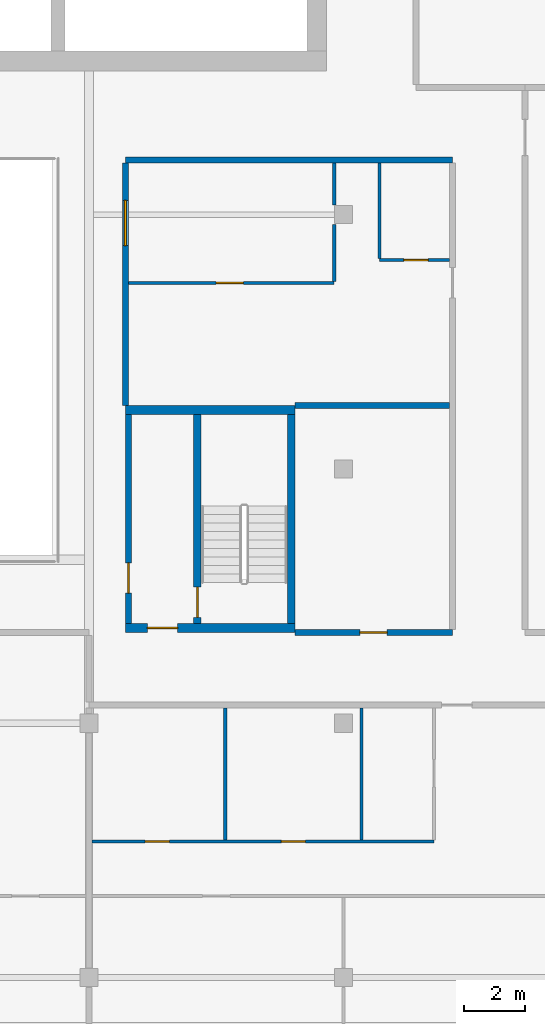
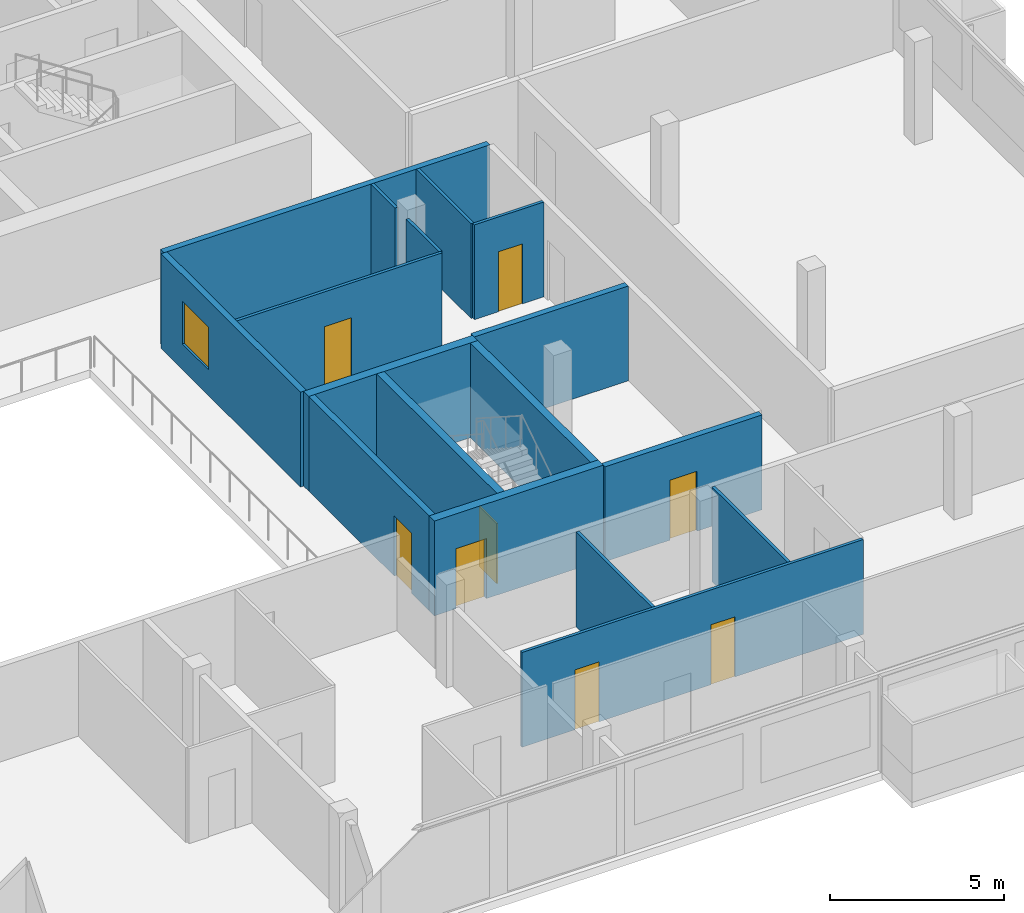
# One storey, part 20 of 27: 17 walls, 8 doors, 1 window, 9 openings.
"""IFC4 building model written with IfcOpenShell, lengths in metres."""

import ifcopenshell
import ifcopenshell.guid

model = None  # the IFC model being written
_history = None  # IfcOwnerHistory: only IFC2X3 demands one
_inside = {}  # id of a spatial element -> (the spatial element, [elements in it])
_under = {}  # id of a project, library or spatial element -> (it, [spatial elements below it])
_declared = {}  # id of a project -> (the project, [libraries it declares])
_typed = {}  # id of a type object -> (the type object, [elements of that type])
_made_of = {}  # id of a material, layer set ... -> (it, [elements and type objects made of it])


def new_model(schema):
    """Start an empty IFC model of exactly this schema.

    Asked for "IFC4X3", IfcOpenShell would pick the latest addendum, in which some entities
    have other attributes; the version numbers below select the first issue.
    IFC2X3 requires an IfcOwnerHistory on every rooted entity: one is made here for all.
    """
    global model, _history
    if schema == "IFC4X3":
        model = ifcopenshell.file(schema_version=(4, 3, 0, 0))
    else:
        model = ifcopenshell.file(schema=schema)
    _inside.clear()
    _under.clear()
    _declared.clear()
    _typed.clear()
    _made_of.clear()
    _history = None
    if model.schema == "IFC2X3":
        org = make("IfcOrganization", Name="unknown")
        user = make(
            "IfcPersonAndOrganization",
            ThePerson=make("IfcPerson", FamilyName="unknown"),
            TheOrganization=org,
        )
        app = make(
            "IfcApplication",
            ApplicationDeveloper=org,
            Version="unknown",
            ApplicationFullName="unknown",
            ApplicationIdentifier="unknown",
        )
        _history = make(
            "IfcOwnerHistory",
            OwningUser=user,
            OwningApplication=app,
            ChangeAction="ADDED",
            CreationDate=0,
        )
    return model


def make(cls, **values):
    """One entity of the class cls with the attributes given. An attribute that is None is left unset."""
    return model.create_entity(
        cls, **{name: value for name, value in values.items() if value is not None}
    )


def rooted(cls, **values):
    """An entity with a GlobalId (a new one), such as an element, a storey or a relation."""
    return make(cls, GlobalId=ifcopenshell.guid.new(), OwnerHistory=_history, **values)


def si_unit(unit_type, name, prefix=None):
    """IfcSIUnit, for example si_unit("LENGTHUNIT", "METRE", prefix="MILLI")."""
    return make("IfcSIUnit", UnitType=unit_type, Prefix=prefix, Name=name)


def assignment(units):
    """IfcUnitAssignment: the units of a project."""
    return None if units is None else make("IfcUnitAssignment", Units=units)


def point(xyz):
    """IfcCartesianPoint."""
    return None if xyz is None else make("IfcCartesianPoint", Coordinates=xyz)


def direction(xyz):
    """IfcDirection."""
    return None if xyz is None else make("IfcDirection", DirectionRatios=xyz)


def frame(location, z_axis=None, x_axis=None):
    """IfcAxis2Placement3D, a coordinate frame: its origin and axes. An axis left out is left unset."""
    return make(
        "IfcAxis2Placement3D",
        Location=point(location),
        Axis=direction(z_axis),
        RefDirection=direction(x_axis),
    )


def frame_2d(location, x_axis=None):
    """IfcAxis2Placement2D, a coordinate frame in the plane: its origin and x axis."""
    return make(
        "IfcAxis2Placement2D", Location=point(location), RefDirection=direction(x_axis)
    )


def origin():
    """The frame at (0, 0, 0) with its axes left unset."""
    return frame((0.0, 0.0, 0.0))


def place(relative_to, where):
    """IfcLocalPlacement: puts the frame where relative to a parent placement (None: the world)."""
    return make(
        "IfcLocalPlacement", PlacementRelTo=relative_to, RelativePlacement=where
    )


def context(
    kind, dimensions, precision=None, world=None, true_north=None, identifier=None
):
    """IfcGeometricRepresentationContext, for example the 3D "Model" context."""
    return make(
        "IfcGeometricRepresentationContext",
        ContextIdentifier=identifier,
        ContextType=kind,
        CoordinateSpaceDimension=dimensions,
        Precision=precision,
        WorldCoordinateSystem=world,
        TrueNorth=true_north,
    )


def subcontext(parent, identifier, kind, view, scale=None):
    """IfcGeometricRepresentationSubContext, for example "Body" below "Model"."""
    return make(
        "IfcGeometricRepresentationSubContext",
        ContextIdentifier=identifier,
        ContextType=kind,
        ParentContext=parent,
        TargetScale=scale,
        TargetView=view,
    )


def project(units=None, contexts=None):
    """IfcProject with its units and contexts."""
    return rooted(
        "IfcProject",
        Name="project",
        RepresentationContexts=contexts,
        UnitsInContext=assignment(units),
    )


def spatial(cls, under=None, at=None, **own):
    """A site, building, storey or space (cls), placed at a placement, below another one or the project."""
    s = rooted(cls, ObjectPlacement=at, **own)
    if under is not None:
        _under.setdefault(under.id(), (under, []))[1].append(s)
    return s


def profile(cls, at=None, kind="AREA", **sizes):
    """A parametric profile (cls). Its sizes go by their IFC names, for example OverallWidth=200.0."""
    return make(cls, ProfileType=kind, Position=at, **sizes)


def rectangle(**sizes):
    """IfcRectangleProfileDef."""
    return profile("IfcRectangleProfileDef", **sizes)


def extrude(swept, where, along, depth):
    """IfcExtrudedAreaSolid: the profile swept, set in the frame where, extruded along a direction by depth."""
    return make(
        "IfcExtrudedAreaSolid",
        SweptArea=swept,
        Position=where,
        ExtrudedDirection=direction(along),
        Depth=depth,
    )


def shape(context_of_items, identifier, shape_type, items):
    """IfcShapeRepresentation: the items that make up one representation, for example the "Body"."""
    return make(
        "IfcShapeRepresentation",
        ContextOfItems=context_of_items,
        RepresentationIdentifier=identifier,
        RepresentationType=shape_type,
        Items=items,
    )


def material(Name=None, Category=None):
    """IfcMaterial."""
    return make("IfcMaterial", Name=Name, Category=Category)


def layer(
    of_material, thickness, ventilated=None, Name=None, Category=None, Priority=None
):
    """IfcMaterialLayer: one layer of a wall or slab, of a material (None: an air gap)."""
    return make(
        "IfcMaterialLayer",
        Material=of_material,
        LayerThickness=thickness,
        IsVentilated=ventilated,
        Name=Name,
        Category=Category,
        Priority=Priority,
    )


def layer_set(layers, Name=None):
    """IfcMaterialLayerSet."""
    return make("IfcMaterialLayerSet", MaterialLayers=layers, LayerSetName=Name)


def made_of(thing, what):
    """Note that an element or type object is made of a material, layer set ...; save() writes the relation."""
    if what is not None:
        _made_of.setdefault(what.id(), (what, []))[1].append(thing)
    return thing


def type_object(cls, material=None, **own):
    """A type object (cls), such as IfcWallType, which elements share."""
    return made_of(rooted(cls, **own), material)


def element(
    cls,
    number,
    at=None,
    inside=None,
    cuts=None,
    type_object=None,
    material=None,
    context=None,
    identifier="Body",
    shape_type=None,
    held_by="IfcProductDefinitionShape",
    body=None,
    shapes=None,
    **own,
):
    """One element of the class cls, such as IfcWall. Its Tag is "e" and its number.

    at: its placement. inside: the storey or other place that contains it. cuts: it is an
    opening in that element (IfcRelVoidsElement). A single representation is given by context,
    identifier, shape_type and body (its items); several are given by shapes. held_by: the class
    of the entity that holds the representations. save() writes the other relations.
    """
    e = rooted(cls, Tag="e%d" % number, ObjectPlacement=at, **own)
    if body is not None:
        shapes = [shape(context, identifier, shape_type, body)]
    if shapes is not None:
        e.Representation = make(held_by, Representations=shapes)
    if inside is not None:
        _inside.setdefault(inside.id(), (inside, []))[1].append(e)
    if cuts is not None:
        rooted(
            "IfcRelVoidsElement", RelatingBuildingElement=cuts, RelatedOpeningElement=e
        )
    if type_object is not None:
        _typed.setdefault(type_object.id(), (type_object, []))[1].append(e)
    return made_of(e, material)


def fill(opening, filler):
    """IfcRelFillsElement: the door or window that sits in an opening."""
    return rooted(
        "IfcRelFillsElement",
        RelatingOpeningElement=opening,
        RelatedBuildingElement=filler,
    )


def aggregate(whole, parts):
    """IfcRelAggregates: a whole, such as a stair, and the parts it consists of."""
    return rooted("IfcRelAggregates", RelatingObject=whole, RelatedObjects=parts)


def save(model, path):
    """Write the relations noted so far, then the file.

    IfcRelAggregates (storeys below a building ...), IfcRelContainedInSpatialStructure (elements
    in a storey), IfcRelDefinesByType, IfcRelAssociatesMaterial and IfcRelDeclares: one each for
    every whole, place, type object, material and project.
    """
    for whole, parts in _under.values():
        aggregate(whole, parts)
    for where, things in _inside.values():
        rooted(
            "IfcRelContainedInSpatialStructure",
            RelatedElements=things,
            RelatingStructure=where,
        )
    for kind, things in _typed.values():
        rooted("IfcRelDefinesByType", RelatedObjects=things, RelatingType=kind)
    for what, things in _made_of.values():
        rooted("IfcRelAssociatesMaterial", RelatedObjects=things, RelatingMaterial=what)
    for by, libraries in _declared.values():
        rooted("IfcRelDeclares", RelatingContext=by, RelatedDefinitions=libraries)
    model.write(path)


model = new_model("IFC4")

# Units and contexts
model_context = context("Model", 3, precision=1e-05, world=origin(), true_north=direction((0.0, 1.0)))
body_context = subcontext(model_context, "Body", "Model", "MODEL_VIEW")
ifc_project = project(units=[si_unit("LENGTHUNIT", "METRE"), si_unit("AREAUNIT", "SQUARE_METRE"), si_unit("VOLUMEUNIT", "CUBIC_METRE"), si_unit("PLANEANGLEUNIT", "RADIAN"), si_unit("MASSUNIT", "GRAM", prefix="KILO")], contexts=[model_context])

# Site, building, storey
site_placement = place(None, origin())
site = spatial("IfcSite", under=ifc_project, at=site_placement, CompositionType="ELEMENT")
building_placement = place(site_placement, origin())
building = spatial("IfcBuilding", under=site, at=building_placement, Name="Saffron Gate Tower", CompositionType="ELEMENT")
storey_placement = place(building_placement, frame((0.0, 0.0, 209.10009765625)))
storey = spatial("IfcBuildingStorey", under=building, at=storey_placement, Name="L50", CompositionType="ELEMENT", Elevation=209.10009765625)

# Wall, opening, door
ifc_material_1 = material(Name="Gypsum board partition on steel studs", Category="steel")
ifc_layer_1 = layer(ifc_material_1, 0.199951171875)
ifc_layer_set_1 = layer_set([ifc_layer_1], Name="CW10 Core partition 200")
wall_type_1 = type_object("IfcWallType", Name="CW10 Core partition 200", PredefinedType="PARTITIONING", material=ifc_layer_set_1)
wall_1_placement = place(storey_placement, frame((101.5, 43.5, 0.0), z_axis=(0.0, 0.0, 1.0), x_axis=(0.0, 1.0, 0.0)))
wall_1 = element("IfcWall", 1, at=wall_1_placement, inside=storey, type_object=wall_type_1, Name="Wall CW10-L50-E-2", PredefinedType="PARTITIONING", context=body_context, shape_type="SweptSolid", body=[
    extrude(rectangle(XDim=6.89990234375, YDim=0.199951171875, at=frame_2d((3.449951171875, 0.0))), origin(), (0.0, 0.0, 1.0), 3.31982421875),
])
opening_1_placement = place(wall_1_placement, frame((1.0, 0.0, 0.0)))
opening_1 = element("IfcOpeningElement", 2, at=opening_1_placement, cuts=wall_1, Name="Opening CR-22", PredefinedType="OPENING", context=body_context, shape_type="SweptSolid", body=[
    extrude(rectangle(XDim=1.0, YDim=2.10009765625, at=frame_2d((0.5, 1.050048828125))), frame((0.0, 0.10986328125, 0.0), z_axis=(0.0, -1.0, 0.0), x_axis=(1.0, 0.0, 0.0)), (0.0, 0.0, 1.0), 0.219970703125),
])
ifc_material_2 = material(Name="Steel fire door set", Category="steel")
door_type_1 = type_object("IfcDoorType", Name="CD4 Lobby door 1000x2100 EI 120", OperationType="NOTDEFINED", PredefinedType="DOOR", material=ifc_material_2)
door_1_placement = place(opening_1_placement, origin())
door_1 = element("IfcDoor", 3, at=door_1_placement, inside=storey, type_object=door_type_1, Name="DOOR CR-22", OperationType="SINGLE_SWING_LEFT", OverallHeight=2.10009765625, OverallWidth=1.0, PredefinedType="DOOR", context=body_context, shape_type="SweptSolid", body=[
    extrude(rectangle(XDim=1.0, YDim=2.10009765625, at=frame_2d((0.5, 1.050048828125))), frame((0.0, 0.02490234375, 0.0), z_axis=(0.0, -1.0, 0.0), x_axis=(1.0, 0.0, 0.0)), (0.0, 0.0, 1.0), 0.050048828125),
])
fill(opening_1, door_1)

ifc_material_3 = material(Name="Concrete C60", Category="concrete")
ifc_layer_2 = layer(ifc_material_3, 0.25)
ifc_layer_set_2 = layer_set([ifc_layer_2], Name="CW14 RC core wall 250 C60")
wall_type_2 = type_object("IfcWallType", Name="CW14 RC core wall 250 C60", PredefinedType="SOLIDWALL", material=ifc_layer_set_2)
wall_2_placement = place(storey_placement, frame((103.77490234375, 43.5, 0.0), z_axis=(0.0, 0.0, 1.0), x_axis=(0.0, 1.0, 0.0)))
wall_2 = element("IfcWall", 4, at=wall_2_placement, inside=storey, type_object=wall_type_2, Name="Wall CW14-L50-E-3", PredefinedType="SOLIDWALL", context=body_context, shape_type="SweptSolid", body=[
    extrude(rectangle(XDim=6.89990234375, YDim=0.25, at=frame_2d((3.449951171875, 0.0))), origin(), (0.0, 0.0, 1.0), 3.31982421875),
])
opening_2_placement = place(wall_2_placement, frame((0.199951171875, 0.0, 0.0)))
opening_2 = element("IfcOpeningElement", 5, at=opening_2_placement, cuts=wall_2, Name="Opening CR-23", PredefinedType="OPENING", context=body_context, shape_type="SweptSolid", body=[
    extrude(rectangle(XDim=1.0, YDim=2.10009765625, at=frame_2d((0.5, 1.050048828125))), frame((0.0, 0.135009765625, 0.0), z_axis=(0.0, -1.0, 0.0), x_axis=(1.0, 0.0, 0.0)), (0.0, 0.0, 1.0), 0.27001953125),
])
door_type_2 = type_object("IfcDoorType", Name="CD5 Stair door 1000x2100 EI 120", OperationType="NOTDEFINED", PredefinedType="DOOR", material=ifc_material_2)
door_2_placement = place(opening_2_placement, origin())
door_2 = element("IfcDoor", 6, at=door_2_placement, inside=storey, type_object=door_type_2, Name="DOOR CR-23", OperationType="SINGLE_SWING_RIGHT", OverallHeight=2.10009765625, OverallWidth=1.0, PredefinedType="DOOR", context=body_context, shape_type="SweptSolid", body=[
    extrude(rectangle(XDim=1.0, YDim=2.10009765625, at=frame_2d((0.5, 1.050048828125))), frame((0.0, 0.02490234375, 0.0), z_axis=(0.0, -1.0, 0.0), x_axis=(1.0, 0.0, 0.0)), (0.0, 0.0, 1.0), 0.050048828125),
])
fill(opening_2, door_2)

# Wall
wall_3_placement = place(storey_placement, frame((106.875, 43.5, 0.0), z_axis=(0.0, 0.0, 1.0), x_axis=(0.0, 1.0, 0.0)))
element("IfcWall", 7, at=wall_3_placement, inside=storey, type_object=wall_type_2, Name="Wall CW14-L50-E-4", PredefinedType="SOLIDWALL", context=body_context, shape_type="SweptSolid", body=[
    extrude(rectangle(XDim=6.89990234375, YDim=0.25, at=frame_2d((3.449951171875, 0.0))), origin(), (0.0, 0.0, 1.0), 3.31982421875),
])

# Wall, opening, door
ifc_layer_3 = layer(ifc_material_3, 0.300048828125)
ifc_layer_set_3 = layer_set([ifc_layer_3], Name="CW17 RC core wall 300 C60")
wall_type_3 = type_object("IfcWallType", Name="CW17 RC core wall 300 C60", PredefinedType="SOLIDWALL", material=ifc_layer_set_3)
wall_4_placement = place(storey_placement, frame((101.39990234375, 43.35009765625, 0.0), z_axis=(0.0, 0.0, 1.0), x_axis=(1.0, 0.0, 0.0)))
wall_4 = element("IfcWall", 8, at=wall_4_placement, inside=storey, type_object=wall_type_3, Name="Wall CW17-L50-E-1", PredefinedType="SOLIDWALL", context=body_context, shape_type="SweptSolid", body=[
    extrude(rectangle(XDim=5.60009765625, YDim=0.300048828125, at=frame_2d((2.800048828125, 0.0))), origin(), (0.0, 0.0, 1.0), 3.31982421875),
])
opening_3_placement = place(wall_4_placement, frame((0.72509765625, 0.0, 0.0)))
opening_3 = element("IfcOpeningElement", 9, at=opening_3_placement, cuts=wall_4, Name="Opening CR-21", PredefinedType="OPENING", context=body_context, shape_type="SweptSolid", body=[
    extrude(rectangle(XDim=1.0, YDim=2.10009765625, at=frame_2d((0.5, 1.050048828125))), frame((0.0, 0.16015625, 0.0), z_axis=(0.0, -1.0, 0.0), x_axis=(1.0, 0.0, 0.0)), (0.0, 0.0, 1.0), 0.320068359375),
])
door_3_placement = place(opening_3_placement, origin())
door_3 = element("IfcDoor", 10, at=door_3_placement, inside=storey, type_object=door_type_1, Name="DOOR CR-21", OperationType="SINGLE_SWING_RIGHT", OverallHeight=2.10009765625, OverallWidth=1.0, PredefinedType="DOOR", context=body_context, shape_type="SweptSolid", body=[
    extrude(rectangle(XDim=1.0, YDim=2.10009765625, at=frame_2d((0.5, 1.050048828125))), frame((0.0, 0.02490234375, 0.0), z_axis=(0.0, -1.0, 0.0), x_axis=(1.0, 0.0, 0.0)), (0.0, 0.0, 1.0), 0.050048828125),
])
fill(opening_3, door_3)

# Wall
wall_5_placement = place(storey_placement, frame((101.39990234375, 50.550048828125, 0.0), z_axis=(0.0, 0.0, 1.0), x_axis=(1.0, 0.0, 0.0)))
element("IfcWall", 11, at=wall_5_placement, inside=storey, type_object=wall_type_3, Name="Wall CW17-L50-E-5", PredefinedType="SOLIDWALL", context=body_context, shape_type="SweptSolid", body=[
    extrude(rectangle(XDim=5.60009765625, YDim=0.300048828125, at=frame_2d((2.800048828125, 0.0))), origin(), (0.0, 0.0, 1.0), 3.31982421875),
])

# Wall, openings, doors
ifc_material_4 = material(Name="Plasterboard on steel studs", Category="steel")
ifc_layer_4 = layer(ifc_material_4, 0.10009765625)
ifc_layer_set_4 = layer_set([ifc_layer_4], Name="PW1 Partition 100")
wall_type_4 = type_object("IfcWallType", Name="PW1 Partition 100", PredefinedType="PARTITIONING", material=ifc_layer_set_4)
wall_6_placement = place(storey_placement, frame((100.300048828125, 36.300048828125, 0.0), z_axis=(0.0, 0.0, 1.0), x_axis=(1.0, 0.0, 0.0)))
wall_6 = element("IfcWall", 12, at=wall_6_placement, inside=storey, type_object=wall_type_4, Name="Partition D1-7", PredefinedType="PARTITIONING", context=body_context, shape_type="SweptSolid", body=[
    extrude(rectangle(XDim=11.300048828125, YDim=0.10009765625, at=frame_2d((5.64990234375, 0.0))), origin(), (0.0, 0.0, 1.0), 3.31982421875),
])
opening_4_placement = place(wall_6_placement, frame((1.75, 0.0, 0.0)))
opening_4 = element("IfcOpeningElement", 13, at=opening_4_placement, cuts=wall_6, Name="Opening D1-36", PredefinedType="OPENING", context=body_context, shape_type="SweptSolid", body=[
    extrude(rectangle(XDim=0.800048828125, YDim=2.10009765625, at=frame_2d((0.39990234375, 1.050048828125))), frame((0.0, 0.06005859375, 0.0), z_axis=(0.0, -1.0, 0.0), x_axis=(1.0, 0.0, 0.0)), (0.0, 0.0, 1.0), 0.1201171875),
])
opening_5_placement = place(wall_6_placement, frame((6.25, 0.0, 0.0)))
opening_5 = element("IfcOpeningElement", 14, at=opening_5_placement, cuts=wall_6, Name="Opening D1-37", PredefinedType="OPENING", context=body_context, shape_type="SweptSolid", body=[
    extrude(rectangle(XDim=0.800048828125, YDim=2.10009765625, at=frame_2d((0.39990234375, 1.050048828125))), frame((0.0, 0.06005859375, 0.0), z_axis=(0.0, -1.0, 0.0), x_axis=(1.0, 0.0, 0.0)), (0.0, 0.0, 1.0), 0.1201171875),
])
ifc_material_5 = material(Name="Timber door set", Category="wood")
door_type_3 = type_object("IfcDoorType", Name="RD2 Bathroom door 800x2100", OperationType="NOTDEFINED", PredefinedType="DOOR", material=ifc_material_5)
door_4_placement = place(opening_4_placement, origin())
door_4 = element("IfcDoor", 15, at=door_4_placement, inside=storey, type_object=door_type_3, Name="Door D1-36", OperationType="SINGLE_SWING_LEFT", OverallHeight=2.10009765625, OverallWidth=0.800048828125, PredefinedType="DOOR", context=body_context, shape_type="SweptSolid", body=[
    extrude(rectangle(XDim=0.800048828125, YDim=2.10009765625, at=frame_2d((0.39990234375, 1.050048828125))), frame((0.0, 0.02490234375, 0.0), z_axis=(0.0, -1.0, 0.0), x_axis=(1.0, 0.0, 0.0)), (0.0, 0.0, 1.0), 0.050048828125),
])
fill(opening_4, door_4)
door_5_placement = place(opening_5_placement, origin())
door_5 = element("IfcDoor", 16, at=door_5_placement, inside=storey, type_object=door_type_3, Name="Door D1-37", OperationType="SINGLE_SWING_RIGHT", OverallHeight=2.10009765625, OverallWidth=0.800048828125, PredefinedType="DOOR", context=body_context, shape_type="SweptSolid", body=[
    extrude(rectangle(XDim=0.800048828125, YDim=2.10009765625, at=frame_2d((0.39990234375, 1.050048828125))), frame((0.0, 0.02490234375, 0.0), z_axis=(0.0, -1.0, 0.0), x_axis=(1.0, 0.0, 0.0)), (0.0, 0.0, 1.0), 0.050048828125),
])
fill(opening_5, door_5)

# Wall, opening, door
wall_7_placement = place(storey_placement, frame((101.5, 54.75, 0.0), z_axis=(0.0, 0.0, 1.0), x_axis=(1.0, 0.0, 0.0)))
wall_7 = element("IfcWall", 17, at=wall_7_placement, inside=storey, type_object=wall_type_4, Name="Partition D1-24", PredefinedType="PARTITIONING", context=body_context, shape_type="SweptSolid", body=[
    extrude(rectangle(XDim=6.800048828125, YDim=0.10009765625, at=frame_2d((3.39990234375, 0.0))), origin(), (0.0, 0.0, 1.0), 3.31982421875),
])
opening_6_placement = place(wall_7_placement, frame((2.89990234375, 0.0, 0.0)))
opening_6 = element("IfcOpeningElement", 18, at=opening_6_placement, cuts=wall_7, Name="Opening D1-31", PredefinedType="OPENING", context=body_context, shape_type="SweptSolid", body=[
    extrude(rectangle(XDim=0.89990234375, YDim=2.10009765625, at=frame_2d((0.449951171875, 1.050048828125))), frame((0.0, 0.06005859375, 0.0), z_axis=(0.0, -1.0, 0.0), x_axis=(1.0, 0.0, 0.0)), (0.0, 0.0, 1.0), 0.1201171875),
])
door_type_4 = type_object("IfcDoorType", Name="RD1 Room door 900x2100", OperationType="NOTDEFINED", PredefinedType="DOOR", material=ifc_material_5)
door_6_placement = place(opening_6_placement, origin())
door_6 = element("IfcDoor", 19, at=door_6_placement, inside=storey, type_object=door_type_4, Name="Door D1-31", OperationType="SINGLE_SWING_LEFT", OverallHeight=2.10009765625, OverallWidth=0.89990234375, PredefinedType="DOOR", context=body_context, shape_type="SweptSolid", body=[
    extrude(rectangle(XDim=0.89990234375, YDim=2.10009765625, at=frame_2d((0.449951171875, 1.050048828125))), frame((0.0, 0.02490234375, 0.0), z_axis=(0.0, -1.0, 0.0), x_axis=(1.0, 0.0, 0.0)), (0.0, 0.0, 1.0), 0.050048828125),
])
fill(opening_6, door_6)

wall_8_placement = place(storey_placement, frame((109.800048828125, 55.5, 0.0), z_axis=(0.0, 0.0, 1.0), x_axis=(1.0, 0.0, 0.0)))
wall_8 = element("IfcWall", 20, at=wall_8_placement, inside=storey, type_object=wall_type_4, Name="Partition D1-25", PredefinedType="PARTITIONING", context=body_context, shape_type="SweptSolid", body=[
    extrude(rectangle(XDim=2.300048828125, YDim=0.10009765625, at=frame_2d((1.14990234375, 0.0))), origin(), (0.0, 0.0, 1.0), 3.31982421875),
])
opening_7_placement = place(wall_8_placement, frame((0.800048828125, 0.0, 0.0)))
opening_7 = element("IfcOpeningElement", 21, at=opening_7_placement, cuts=wall_8, Name="Opening D1-41", PredefinedType="OPENING", context=body_context, shape_type="SweptSolid", body=[
    extrude(rectangle(XDim=0.800048828125, YDim=2.10009765625, at=frame_2d((0.39990234375, 1.050048828125))), frame((0.0, 0.06005859375, 0.0), z_axis=(0.0, -1.0, 0.0), x_axis=(1.0, 0.0, 0.0)), (0.0, 0.0, 1.0), 0.1201171875),
])
door_7_placement = place(opening_7_placement, origin())
door_7 = element("IfcDoor", 22, at=door_7_placement, inside=storey, type_object=door_type_3, Name="Door D1-41", OperationType="SINGLE_SWING_RIGHT", OverallHeight=2.10009765625, OverallWidth=0.800048828125, PredefinedType="DOOR", context=body_context, shape_type="SweptSolid", body=[
    extrude(rectangle(XDim=0.800048828125, YDim=2.10009765625, at=frame_2d((0.39990234375, 1.050048828125))), frame((0.0, 0.02490234375, 0.0), z_axis=(0.0, -1.0, 0.0), x_axis=(1.0, 0.0, 0.0)), (0.0, 0.0, 1.0), 0.050048828125),
])
fill(opening_7, door_7)

# Walls
wall_9_placement = place(storey_placement, frame((104.699951171875, 40.699951171875, 0.0), z_axis=(0.0, 0.0, 1.0), x_axis=(0.0, -1.0, 0.0)))
element("IfcWall", 23, at=wall_9_placement, inside=storey, type_object=wall_type_4, Name="Partition D1-83", PredefinedType="PARTITIONING", context=body_context, shape_type="SweptSolid", body=[
    extrude(rectangle(XDim=4.349853515625, YDim=0.10009765625, at=frame_2d((2.1748046875, 0.0))), origin(), (0.0, 0.0, 1.0), 3.31982421875),
])
wall_10_placement = place(storey_placement, frame((108.300048828125, 56.679931640625, 0.0), z_axis=(0.0, 0.0, 1.0), x_axis=(0.0, -1.0, 0.0)))
element("IfcWall", 24, at=wall_10_placement, inside=storey, type_object=wall_type_4, Name="Partition D1-84", PredefinedType="PARTITIONING", context=body_context, shape_type="SweptSolid", body=[
    extrude(rectangle(XDim=1.8798828125, YDim=0.10009765625, at=frame_2d((0.93994140625, 0.0))), origin(), (0.0, 0.0, 1.0), 3.31982421875),
])
wall_11_placement = place(storey_placement, frame((108.300048828125, 58.699951171875, 0.0), z_axis=(0.0, 0.0, 1.0), x_axis=(0.0, -1.0, 0.0)))
element("IfcWall", 25, at=wall_11_placement, inside=storey, type_object=wall_type_4, Name="Partition D1-85", PredefinedType="PARTITIONING", context=body_context, shape_type="SweptSolid", body=[
    extrude(rectangle(XDim=1.3798828125, YDim=0.10009765625, at=frame_2d((0.68994140625, 0.0))), origin(), (0.0, 0.0, 1.0), 3.31982421875),
])
wall_12_placement = place(storey_placement, frame((109.199951171875, 40.699951171875, 0.0), z_axis=(0.0, 0.0, 1.0), x_axis=(0.0, -1.0, 0.0)))
element("IfcWall", 26, at=wall_12_placement, inside=storey, type_object=wall_type_4, Name="Partition D1-88", PredefinedType="PARTITIONING", context=body_context, shape_type="SweptSolid", body=[
    extrude(rectangle(XDim=4.349853515625, YDim=0.10009765625, at=frame_2d((2.1748046875, 0.0))), origin(), (0.0, 0.0, 1.0), 3.31982421875),
])
wall_13_placement = place(storey_placement, frame((109.800048828125, 58.699951171875, 0.0), z_axis=(0.0, 0.0, 1.0), x_axis=(0.0, -1.0, 0.0)))
element("IfcWall", 27, at=wall_13_placement, inside=storey, type_object=wall_type_4, Name="Partition D1-89", PredefinedType="PARTITIONING", context=body_context, shape_type="SweptSolid", body=[
    extrude(rectangle(XDim=3.14990234375, YDim=0.10009765625, at=frame_2d((1.574951171875, 0.0))), origin(), (0.0, 0.0, 1.0), 3.31982421875),
])
ifc_material_6 = material(Name="Clay brick masonry, rendered", Category="masonry")
ifc_layer_5 = layer(ifc_material_6, 0.199951171875)
ifc_layer_set_5 = layer_set([ifc_layer_5], Name="PW2 Demising wall 200")
wall_type_5 = type_object("IfcWallType", Name="PW2 Demising wall 200", PredefinedType="PARTITIONING", material=ifc_layer_set_5)
wall_14_placement = place(storey_placement, frame((107.0, 50.699951171875, 0.0), z_axis=(0.0, 0.0, 1.0), x_axis=(1.0, 0.0, 0.0)))
element("IfcWall", 28, at=wall_14_placement, inside=storey, type_object=wall_type_5, Name="Wall D1-22", PredefinedType="PARTITIONING", context=body_context, shape_type="SweptSolid", body=[
    extrude(rectangle(XDim=5.10009765625, YDim=0.199951171875, at=frame_2d((2.550048828125, 0.0))), origin(), (0.0, 0.0, 1.0), 3.31982421875),
])

# Wall, opening, door
ifc_layer_6 = layer(ifc_material_6, 0.199951171875)
ifc_layer_set_6 = layer_set([ifc_layer_6], Name="PW3 Corridor wall 200")
wall_type_6 = type_object("IfcWallType", Name="PW3 Corridor wall 200", PredefinedType="PARTITIONING", material=ifc_layer_set_6)
wall_15_placement = place(storey_placement, frame((107.0, 43.199951171875, 0.0), z_axis=(0.0, 0.0, 1.0), x_axis=(1.0, 0.0, 0.0)))
wall_15 = element("IfcWall", 29, at=wall_15_placement, inside=storey, type_object=wall_type_6, Name="Wall D1-19", PredefinedType="PARTITIONING", context=body_context, shape_type="SweptSolid", body=[
    extrude(rectangle(XDim=5.199951171875, YDim=0.199951171875, at=frame_2d((2.60009765625, 0.0))), origin(), (0.0, 0.0, 1.0), 3.31982421875),
])
opening_8_placement = place(wall_15_placement, frame((2.14990234375, 0.0, 0.0)))
opening_8 = element("IfcOpeningElement", 30, at=opening_8_placement, cuts=wall_15, Name="Opening D1-42", PredefinedType="OPENING", context=body_context, shape_type="SweptSolid", body=[
    extrude(rectangle(XDim=0.89990234375, YDim=2.10009765625, at=frame_2d((0.449951171875, 1.050048828125))), frame((0.0, 0.10986328125, 0.0), z_axis=(0.0, -1.0, 0.0), x_axis=(1.0, 0.0, 0.0)), (0.0, 0.0, 1.0), 0.219970703125),
])
door_type_5 = type_object("IfcDoorType", Name="SD1 Service door 900x2100", OperationType="NOTDEFINED", PredefinedType="DOOR", material=ifc_material_2)
door_8_placement = place(opening_8_placement, origin())
door_8 = element("IfcDoor", 31, at=door_8_placement, inside=storey, type_object=door_type_5, Name="Door D1-42", OperationType="SINGLE_SWING_LEFT", OverallHeight=2.10009765625, OverallWidth=0.89990234375, PredefinedType="DOOR", context=body_context, shape_type="SweptSolid", body=[
    extrude(rectangle(XDim=0.89990234375, YDim=2.10009765625, at=frame_2d((0.449951171875, 1.050048828125))), frame((0.0, 0.02490234375, 0.0), z_axis=(0.0, -1.0, 0.0), x_axis=(1.0, 0.0, 0.0)), (0.0, 0.0, 1.0), 0.050048828125),
])
fill(opening_8, door_8)

# Wall
wall_16_placement = place(storey_placement, frame((101.39990234375, 58.800048828125, 0.0), z_axis=(0.0, 0.0, 1.0), x_axis=(1.0, 0.0, 0.0)))
element("IfcWall", 32, at=wall_16_placement, inside=storey, type_object=wall_type_6, Name="Wall D1-28", PredefinedType="PARTITIONING", context=body_context, shape_type="SweptSolid", body=[
    extrude(rectangle(XDim=10.800048828125, YDim=0.199951171875, at=frame_2d((5.39990234375, 0.0))), origin(), (0.0, 0.0, 1.0), 3.31982421875),
])

# Wall, opening, window
wall_17_placement = place(storey_placement, frame((101.39990234375, 58.699951171875, 0.0), z_axis=(0.0, 0.0, 1.0), x_axis=(0.0, -1.0, 0.0)))
wall_17 = element("IfcWall", 33, at=wall_17_placement, inside=storey, type_object=wall_type_6, Name="Wall D1-82", PredefinedType="PARTITIONING", context=body_context, shape_type="SweptSolid", body=[
    extrude(rectangle(XDim=8.0, YDim=0.199951171875, at=frame_2d((4.0, 0.0))), origin(), (0.0, 0.0, 1.0), 3.31982421875),
])
opening_9_placement = place(wall_17_placement, frame((1.22509765625, 0.0, 0.89990234375)))
opening_9 = element("IfcOpeningElement", 34, at=opening_9_placement, cuts=wall_17, Name="Opening GW1", PredefinedType="OPENING", context=body_context, shape_type="SweptSolid", body=[
    extrude(rectangle(XDim=1.5, YDim=1.5, at=frame_2d((0.75, 0.75))), frame((0.0, 0.10986328125, 0.0), z_axis=(0.0, -1.0, 0.0), x_axis=(1.0, 0.0, 0.0)), (0.0, 0.0, 1.0), 0.219970703125),
])
ifc_material_7 = material(Name="Fire-resisting laminated glass in steel frame", Category="steel")
ifc_layer_7 = layer(ifc_material_7, 0.06005859375)
ifc_layer_set_7 = layer_set([ifc_layer_7], Name="GW1 Gallery window 1500x1500")
window_type = type_object("IfcWindowType", Name="GW1 Gallery window 1500x1500", PartitioningType="SINGLE_PANEL", PredefinedType="WINDOW", material=ifc_layer_set_7)
window_placement = place(opening_9_placement, origin())
window = element("IfcWindow", 35, at=window_placement, inside=storey, type_object=window_type, Name="GW1 window D1-K-B1", OverallHeight=1.5, OverallWidth=1.5, PartitioningType="SINGLE_PANEL", PredefinedType="WINDOW", context=body_context, shape_type="SweptSolid", body=[
    extrude(rectangle(XDim=1.5, YDim=1.5, at=frame_2d((0.75, 0.75))), frame((0.0, 0.030029296875, 0.0), z_axis=(0.0, -1.0, 0.0), x_axis=(1.0, 0.0, 0.0)), (0.0, 0.0, 1.0), 0.06005859375),
])
fill(opening_9, window)

save(model, "model.ifc")
